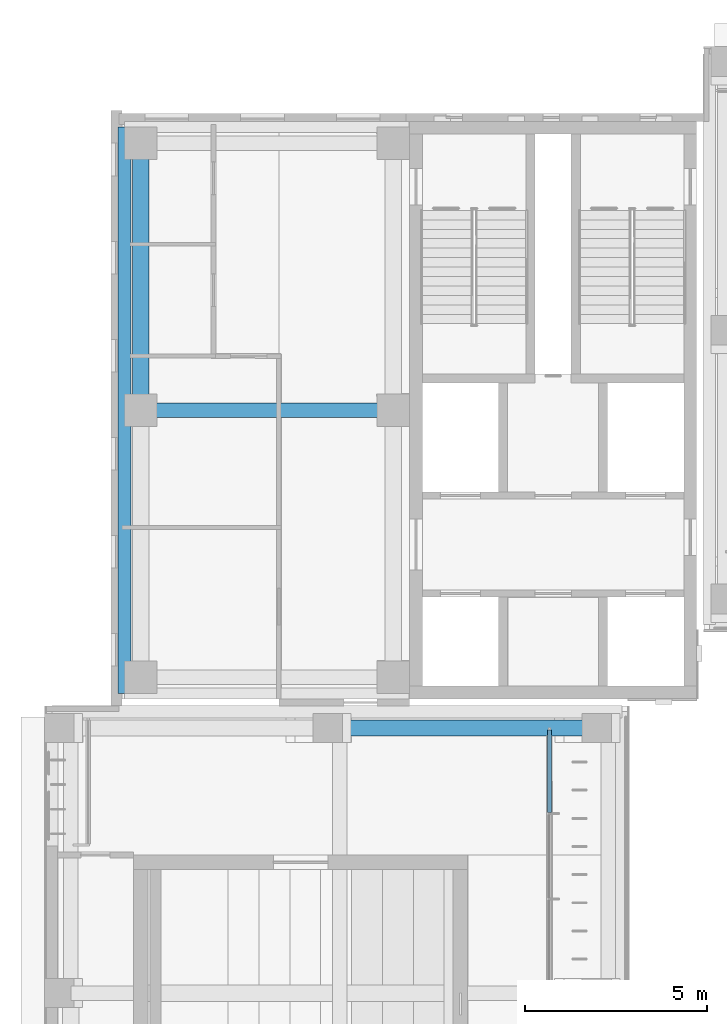
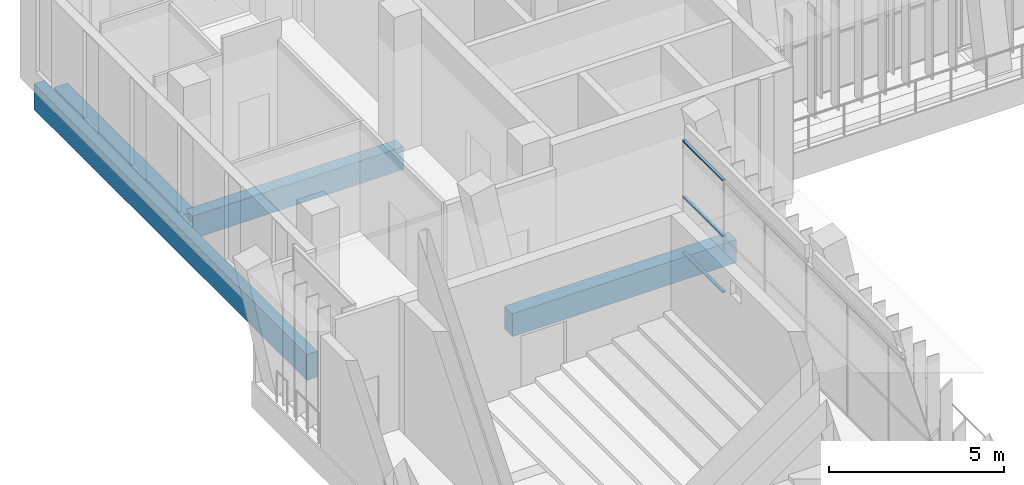
# One storey, part 68 of 141: 4 beams, 3 members, 1 element without a shape of its own.
"""IFC4 building model written with IfcOpenShell, lengths in metres."""

from ifc_helpers import new_model, si_unit, direction, frame, origin, origin_2d, place, context, subcontext, project, spatial, rectangle, extrude, material, material_profile, profile_set, type_object, element, aggregate, save


model = new_model("IFC4")

# Units and contexts
model_context = context("Model", 3, precision=1e-05, world=origin(), true_north=direction((0.0, 1.0)))
body_context = subcontext(model_context, "Body", "Model", "MODEL_VIEW")
ifc_project = project(units=[si_unit("LENGTHUNIT", "METRE"), si_unit("AREAUNIT", "SQUARE_METRE"), si_unit("VOLUMEUNIT", "CUBIC_METRE"), si_unit("PLANEANGLEUNIT", "RADIAN"), si_unit("MASSUNIT", "GRAM", prefix="KILO")], contexts=[model_context])

# Site, building, storey
site_placement = place(None, origin())
site = spatial("IfcSite", under=ifc_project, at=site_placement, CompositionType="ELEMENT")
building_placement = place(site_placement, origin())
building = spatial("IfcBuilding", under=site, at=building_placement, Name="Lantern Court Media Centre", CompositionType="ELEMENT")
storey_placement = place(building_placement, frame((0.0, 0.0, 9.60009765625)))
storey = spatial("IfcBuildingStorey", under=building, at=storey_placement, Name="L02", CompositionType="ELEMENT", Elevation=9.60009765625)

# Curtain wall, members
ifc_material_1 = material(Name="Curtain wall bay 2400")
curtain_wall_type = type_object("IfcCurtainWallType", Name="Curtain wall bay 2400", PredefinedType="NOTDEFINED", material=ifc_material_1)
curtain_wall_placement = place(storey_placement, origin())
curtain_wall = element("IfcCurtainWall", 1, at=curtain_wall_placement, inside=storey, type_object=curtain_wall_type, Name="Curtain wall W inner L02", PredefinedType="NOTDEFINED")
ifc_material_2 = material(Name="Anodised aluminium", Category="aluminium")
ifc_material_profile_1 = material_profile(ifc_material_2, rectangle(XDim=0.10009765625, YDim=0.050048828125, at=origin_2d()), Name="AL 50x100")
ifc_profile_set_1 = profile_set([ifc_material_profile_1], Name="Anodised aluminium")
member_type = type_object("IfcMemberType", Name="Curtain wall transom 100x50", PredefinedType="USERDEFINED", material=ifc_profile_set_1)
member_1_placement = place(storey_placement, frame((19.85009765625, 92.97119140625, 0.02490234375), z_axis=(0.0, 1.0, 0.0), x_axis=(-1.0, 0.0, 0.0)))
member_1 = element("IfcMember", 2, at=member_1_placement, type_object=member_type, Name="CW2 transom 13.1", ObjectType="TRANSOM", PredefinedType="USERDEFINED", context=body_context, shape_type="SweptSolid", body=[
    extrude(rectangle(XDim=0.10009765625, YDim=0.050048828125, at=origin_2d()), origin(), (0.0, 0.0, 1.0), 2.27880859375),
])
member_2_placement = place(storey_placement, frame((19.85009765625, 92.97119140625, 1.974853515625), z_axis=(0.0, 1.0, 0.0), x_axis=(-1.0, 0.0, 0.0)))
member_2 = element("IfcMember", 3, at=member_2_placement, type_object=member_type, Name="CW2 transom 13.2", ObjectType="TRANSOM", PredefinedType="USERDEFINED", context=body_context, shape_type="SweptSolid", body=[
    extrude(rectangle(XDim=0.10009765625, YDim=0.050048828125, at=origin_2d()), origin(), (0.0, 0.0, 1.0), 2.27880859375),
])
member_3_placement = place(storey_placement, frame((19.85009765625, 92.97119140625, 3.9248046875), z_axis=(0.0, 1.0, 0.0), x_axis=(-1.0, 0.0, 0.0)))
member_3 = element("IfcMember", 4, at=member_3_placement, type_object=member_type, Name="CW2 transom 13.3", ObjectType="TRANSOM", PredefinedType="USERDEFINED", context=body_context, shape_type="SweptSolid", body=[
    extrude(rectangle(XDim=0.10009765625, YDim=0.050048828125, at=origin_2d()), origin(), (0.0, 0.0, 1.0), 2.27880859375),
])
aggregate(curtain_wall, [member_1, member_2, member_3])

# Beams
ifc_material_3 = material(Name="Concrete C35", Category="concrete")
ifc_material_profile_2 = material_profile(ifc_material_3, rectangle(XDim=0.35009765625, YDim=0.89990234375, at=origin_2d()), Name="RC 350x900")
ifc_profile_set_2 = profile_set([ifc_material_profile_2], Name="Concrete C35")
beam_type_1 = type_object("IfcBeamType", Name="RC BEAM 350x900", PredefinedType="BEAM", material=ifc_profile_set_2)
beam_1_placement = place(storey_placement, frame((8.14990234375, 96.25, -0.4501953125), z_axis=(0.0, 1.0, 0.0), x_axis=(-1.0, 0.0, 0.0)))
element("IfcBeam", 5, at=beam_1_placement, inside=storey, type_object=beam_type_1, Name="EB-NW-L02-W", PredefinedType="BEAM", context=body_context, shape_type="SweptSolid", body=[
    extrude(rectangle(XDim=0.35009765625, YDim=0.89990234375, at=origin_2d()), origin(), (0.0, 0.0, 1.0), 15.60009765625),
])
ifc_material_profile_3 = material_profile(ifc_material_3, rectangle(XDim=0.39990234375, YDim=0.800048828125, at=origin_2d()), Name="RC 400x800")
ifc_profile_set_3 = profile_set([ifc_material_profile_3], Name="Concrete C35")
beam_type_2 = type_object("IfcBeamType", Name="RC BEAM 400x800", PredefinedType="BEAM", material=ifc_profile_set_3)
beam_2_placement = place(storey_placement, frame((8.60009765625, 104.050048828125, -0.400146484375), z_axis=(1.0, 0.0, 0.0), x_axis=(0.0, 1.0, 0.0)))
element("IfcBeam", 6, at=beam_2_placement, inside=storey, type_object=beam_type_2, Name="BB-NW-L02-Y0-104", PredefinedType="BEAM", context=body_context, shape_type="SweptSolid", body=[
    extrude(rectangle(XDim=0.39990234375, YDim=0.800048828125, at=origin_2d()), origin(), (0.0, 0.0, 1.0), 6.949951171875),
])
ifc_material_profile_4 = material_profile(ifc_material_3, rectangle(XDim=0.449951171875, YDim=0.800048828125, at=origin_2d()), Name="RC 450x800")
ifc_profile_set_4 = profile_set([ifc_material_profile_4], Name="Concrete C35")
beam_type_3 = type_object("IfcBeamType", Name="RC BEAM 450x800", PredefinedType="BEAM", material=ifc_profile_set_4)
beam_3_placement = place(storey_placement, frame((8.60009765625, 104.050048828125, -0.400146484375), z_axis=(0.0, 1.0, 0.0), x_axis=(-1.0, 0.0, 0.0)))
element("IfcBeam", 7, at=beam_3_placement, inside=storey, type_object=beam_type_3, Name="BB-NW-L02-X1-8", PredefinedType="BEAM", context=body_context, shape_type="SweptSolid", body=[
    extrude(rectangle(XDim=0.449951171875, YDim=0.800048828125, at=origin_2d()), origin(), (0.0, 0.0, 1.0), 7.349853515625),
])
beam_4_placement = place(storey_placement, frame((14.083251953125, 95.300048828125, -0.400146484375), z_axis=(1.0, 0.0, 0.0), x_axis=(0.0, 1.0, 0.0)))
element("IfcBeam", 8, at=beam_4_placement, inside=storey, type_object=beam_type_3, Name="TB-W-L02-4-2", PredefinedType="BEAM", context=body_context, shape_type="SweptSolid", body=[
    extrude(rectangle(XDim=0.449951171875, YDim=0.800048828125, at=origin_2d()), origin(), (0.0, 0.0, 1.0), 7.400146484375),
])

save(model, "model.ifc")
